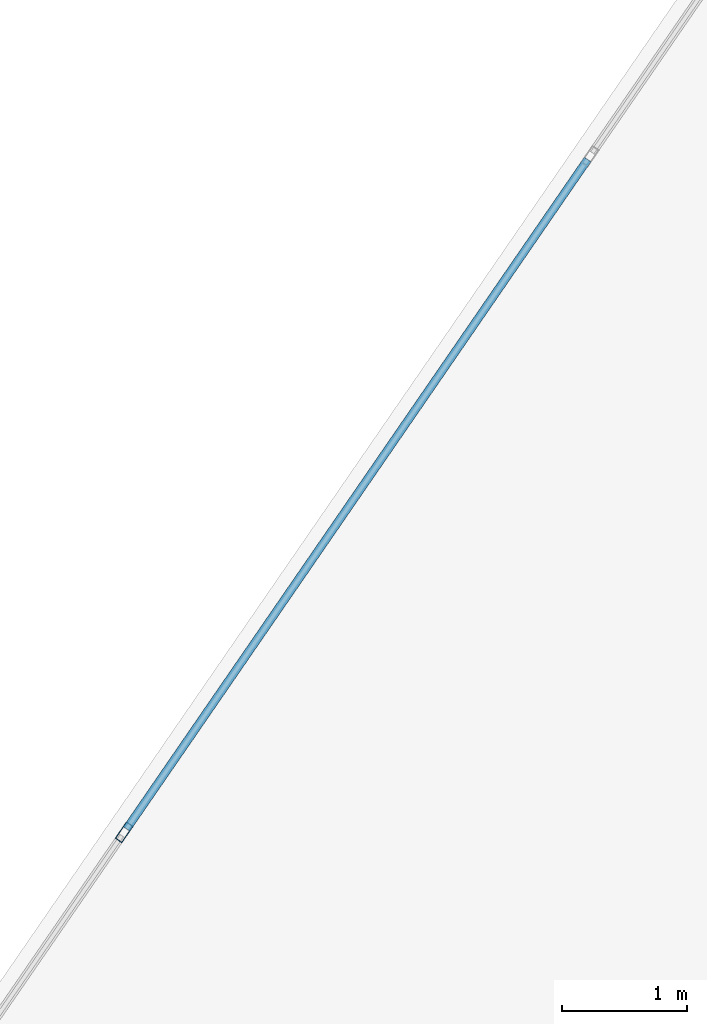
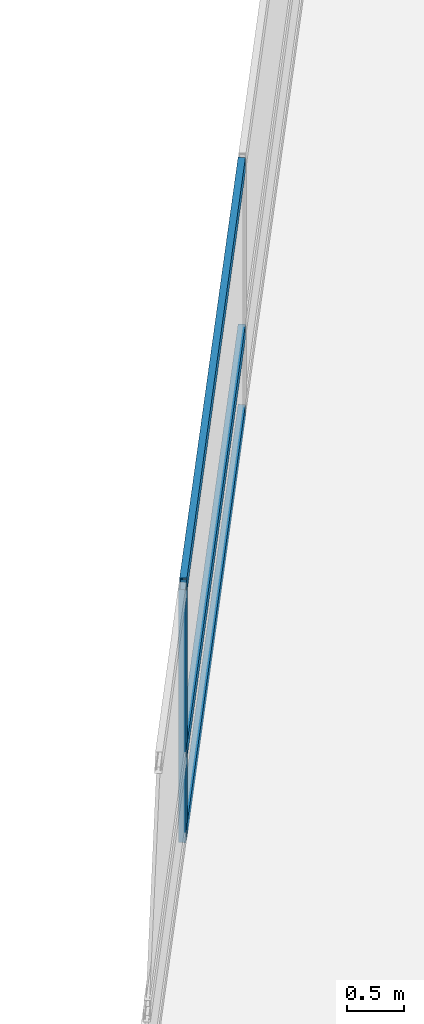
# One storey, part 13 of 25: 4 members, 1 element without a shape of its own.
"""IFC4 building model written with IfcOpenShell, lengths in metres."""

import ifcopenshell
import ifcopenshell.guid

model = None  # the IFC model being written
_history = None  # IfcOwnerHistory: only IFC2X3 demands one
_inside = {}  # id of a spatial element -> (the spatial element, [elements in it])
_under = {}  # id of a project, library or spatial element -> (it, [spatial elements below it])
_declared = {}  # id of a project -> (the project, [libraries it declares])
_typed = {}  # id of a type object -> (the type object, [elements of that type])
_made_of = {}  # id of a material, layer set ... -> (it, [elements and type objects made of it])


def new_model(schema):
    """Start an empty IFC model of exactly this schema.

    Asked for "IFC4X3", IfcOpenShell would pick the latest addendum, in which some entities
    have other attributes; the version numbers below select the first issue.
    IFC2X3 requires an IfcOwnerHistory on every rooted entity: one is made here for all.
    """
    global model, _history
    if schema == "IFC4X3":
        model = ifcopenshell.file(schema_version=(4, 3, 0, 0))
    else:
        model = ifcopenshell.file(schema=schema)
    _inside.clear()
    _under.clear()
    _declared.clear()
    _typed.clear()
    _made_of.clear()
    _history = None
    if model.schema == "IFC2X3":
        org = make("IfcOrganization", Name="unknown")
        user = make(
            "IfcPersonAndOrganization",
            ThePerson=make("IfcPerson", FamilyName="unknown"),
            TheOrganization=org,
        )
        app = make(
            "IfcApplication",
            ApplicationDeveloper=org,
            Version="unknown",
            ApplicationFullName="unknown",
            ApplicationIdentifier="unknown",
        )
        _history = make(
            "IfcOwnerHistory",
            OwningUser=user,
            OwningApplication=app,
            ChangeAction="ADDED",
            CreationDate=0,
        )
    return model


def make(cls, **values):
    """One entity of the class cls with the attributes given. An attribute that is None is left unset."""
    return model.create_entity(
        cls, **{name: value for name, value in values.items() if value is not None}
    )


def rooted(cls, **values):
    """An entity with a GlobalId (a new one), such as an element, a storey or a relation."""
    return make(cls, GlobalId=ifcopenshell.guid.new(), OwnerHistory=_history, **values)


def si_unit(unit_type, name, prefix=None):
    """IfcSIUnit, for example si_unit("LENGTHUNIT", "METRE", prefix="MILLI")."""
    return make("IfcSIUnit", UnitType=unit_type, Prefix=prefix, Name=name)


def assignment(units):
    """IfcUnitAssignment: the units of a project."""
    return None if units is None else make("IfcUnitAssignment", Units=units)


def point(xyz):
    """IfcCartesianPoint."""
    return None if xyz is None else make("IfcCartesianPoint", Coordinates=xyz)


def direction(xyz):
    """IfcDirection."""
    return None if xyz is None else make("IfcDirection", DirectionRatios=xyz)


def frame(location, z_axis=None, x_axis=None):
    """IfcAxis2Placement3D, a coordinate frame: its origin and axes. An axis left out is left unset."""
    return make(
        "IfcAxis2Placement3D",
        Location=point(location),
        Axis=direction(z_axis),
        RefDirection=direction(x_axis),
    )


def frame_2d(location, x_axis=None):
    """IfcAxis2Placement2D, a coordinate frame in the plane: its origin and x axis."""
    return make(
        "IfcAxis2Placement2D", Location=point(location), RefDirection=direction(x_axis)
    )


def origin():
    """The frame at (0, 0, 0) with its axes left unset."""
    return frame((0.0, 0.0, 0.0))


def origin_2d():
    """The frame at (0, 0) in the plane with its x axis left unset."""
    return frame_2d((0.0, 0.0))


def place(relative_to, where):
    """IfcLocalPlacement: puts the frame where relative to a parent placement (None: the world)."""
    return make(
        "IfcLocalPlacement", PlacementRelTo=relative_to, RelativePlacement=where
    )


def context(
    kind, dimensions, precision=None, world=None, true_north=None, identifier=None
):
    """IfcGeometricRepresentationContext, for example the 3D "Model" context."""
    return make(
        "IfcGeometricRepresentationContext",
        ContextIdentifier=identifier,
        ContextType=kind,
        CoordinateSpaceDimension=dimensions,
        Precision=precision,
        WorldCoordinateSystem=world,
        TrueNorth=true_north,
    )


def subcontext(parent, identifier, kind, view, scale=None):
    """IfcGeometricRepresentationSubContext, for example "Body" below "Model"."""
    return make(
        "IfcGeometricRepresentationSubContext",
        ContextIdentifier=identifier,
        ContextType=kind,
        ParentContext=parent,
        TargetScale=scale,
        TargetView=view,
    )


def project(units=None, contexts=None):
    """IfcProject with its units and contexts."""
    return rooted(
        "IfcProject",
        Name="project",
        RepresentationContexts=contexts,
        UnitsInContext=assignment(units),
    )


def spatial(cls, under=None, at=None, **own):
    """A site, building, storey or space (cls), placed at a placement, below another one or the project."""
    s = rooted(cls, ObjectPlacement=at, **own)
    if under is not None:
        _under.setdefault(under.id(), (under, []))[1].append(s)
    return s


def profile(cls, at=None, kind="AREA", **sizes):
    """A parametric profile (cls). Its sizes go by their IFC names, for example OverallWidth=200.0."""
    return make(cls, ProfileType=kind, Position=at, **sizes)


def hollow_rectangle(**sizes):
    """IfcRectangleHollowProfileDef."""
    return profile("IfcRectangleHollowProfileDef", **sizes)


def extrude(swept, where, along, depth):
    """IfcExtrudedAreaSolid: the profile swept, set in the frame where, extruded along a direction by depth."""
    return make(
        "IfcExtrudedAreaSolid",
        SweptArea=swept,
        Position=where,
        ExtrudedDirection=direction(along),
        Depth=depth,
    )


def shape(context_of_items, identifier, shape_type, items):
    """IfcShapeRepresentation: the items that make up one representation, for example the "Body"."""
    return make(
        "IfcShapeRepresentation",
        ContextOfItems=context_of_items,
        RepresentationIdentifier=identifier,
        RepresentationType=shape_type,
        Items=items,
    )


def material(Name=None, Category=None):
    """IfcMaterial."""
    return make("IfcMaterial", Name=Name, Category=Category)


def layer(
    of_material, thickness, ventilated=None, Name=None, Category=None, Priority=None
):
    """IfcMaterialLayer: one layer of a wall or slab, of a material (None: an air gap)."""
    return make(
        "IfcMaterialLayer",
        Material=of_material,
        LayerThickness=thickness,
        IsVentilated=ventilated,
        Name=Name,
        Category=Category,
        Priority=Priority,
    )


def layer_set(layers, Name=None):
    """IfcMaterialLayerSet."""
    return make("IfcMaterialLayerSet", MaterialLayers=layers, LayerSetName=Name)


def material_profile(
    of_material, cross_section, Name=None, Category=None, Priority=None
):
    """IfcMaterialProfile: a cross section and its material."""
    return make(
        "IfcMaterialProfile",
        Name=Name,
        Material=of_material,
        Profile=cross_section,
        Priority=Priority,
        Category=Category,
    )


def profile_set(profiles, Name=None, composite=None):
    """IfcMaterialProfileSet."""
    return make(
        "IfcMaterialProfileSet",
        Name=Name,
        MaterialProfiles=profiles,
        CompositeProfile=composite,
    )


def made_of(thing, what):
    """Note that an element or type object is made of a material, layer set ...; save() writes the relation."""
    if what is not None:
        _made_of.setdefault(what.id(), (what, []))[1].append(thing)
    return thing


def type_object(cls, material=None, **own):
    """A type object (cls), such as IfcWallType, which elements share."""
    return made_of(rooted(cls, **own), material)


def element(
    cls,
    number,
    at=None,
    inside=None,
    cuts=None,
    type_object=None,
    material=None,
    context=None,
    identifier="Body",
    shape_type=None,
    held_by="IfcProductDefinitionShape",
    body=None,
    shapes=None,
    **own,
):
    """One element of the class cls, such as IfcWall. Its Tag is "e" and its number.

    at: its placement. inside: the storey or other place that contains it. cuts: it is an
    opening in that element (IfcRelVoidsElement). A single representation is given by context,
    identifier, shape_type and body (its items); several are given by shapes. held_by: the class
    of the entity that holds the representations. save() writes the other relations.
    """
    e = rooted(cls, Tag="e%d" % number, ObjectPlacement=at, **own)
    if body is not None:
        shapes = [shape(context, identifier, shape_type, body)]
    if shapes is not None:
        e.Representation = make(held_by, Representations=shapes)
    if inside is not None:
        _inside.setdefault(inside.id(), (inside, []))[1].append(e)
    if cuts is not None:
        rooted(
            "IfcRelVoidsElement", RelatingBuildingElement=cuts, RelatedOpeningElement=e
        )
    if type_object is not None:
        _typed.setdefault(type_object.id(), (type_object, []))[1].append(e)
    return made_of(e, material)


def aggregate(whole, parts):
    """IfcRelAggregates: a whole, such as a stair, and the parts it consists of."""
    return rooted("IfcRelAggregates", RelatingObject=whole, RelatedObjects=parts)


def save(model, path):
    """Write the relations noted so far, then the file.

    IfcRelAggregates (storeys below a building ...), IfcRelContainedInSpatialStructure (elements
    in a storey), IfcRelDefinesByType, IfcRelAssociatesMaterial and IfcRelDeclares: one each for
    every whole, place, type object, material and project.
    """
    for whole, parts in _under.values():
        aggregate(whole, parts)
    for where, things in _inside.values():
        rooted(
            "IfcRelContainedInSpatialStructure",
            RelatedElements=things,
            RelatingStructure=where,
        )
    for kind, things in _typed.values():
        rooted("IfcRelDefinesByType", RelatedObjects=things, RelatingType=kind)
    for what, things in _made_of.values():
        rooted("IfcRelAssociatesMaterial", RelatedObjects=things, RelatingMaterial=what)
    for by, libraries in _declared.values():
        rooted("IfcRelDeclares", RelatingContext=by, RelatedDefinitions=libraries)
    model.write(path)


model = new_model("IFC4")

# Units and contexts
model_context = context("Model", 3, precision=1e-05, world=origin(), true_north=direction((0.0, 1.0)))
body_context = subcontext(model_context, "Body", "Model", "MODEL_VIEW")
ifc_project = project(units=[si_unit("LENGTHUNIT", "METRE"), si_unit("AREAUNIT", "SQUARE_METRE"), si_unit("VOLUMEUNIT", "CUBIC_METRE"), si_unit("PLANEANGLEUNIT", "RADIAN"), si_unit("MASSUNIT", "GRAM", prefix="KILO")], contexts=[model_context])

# Site, building, storey
site_placement = place(None, origin())
site = spatial("IfcSite", under=ifc_project, at=site_placement, CompositionType="ELEMENT")
building_placement = place(site_placement, origin())
building = spatial("IfcBuilding", under=site, at=building_placement, Name="Varnelok Gate Tower", CompositionType="ELEMENT")
storey_placement = place(building_placement, frame((0.0, 0.0, 34.39990234375)))
storey = spatial("IfcBuildingStorey", under=building, at=storey_placement, Name="L07", CompositionType="ELEMENT", Elevation=34.39990234375)

# Curtain wall, members
ifc_material = material(Name="Anodized Aluminum Alloy 6063-T6", Category="aluminium")
ifc_layer = layer(ifc_material, 0.179931640625)
ifc_layer_set = layer_set([ifc_layer], Name="Anodized Aluminum Alloy 6063-T6")
curtain_wall_type = type_object("IfcCurtainWallType", Name="CW3-HOTEL-VISION", PredefinedType="USERDEFINED", material=ifc_layer_set)
curtain_wall_placement = place(storey_placement, origin())
curtain_wall = element("IfcCurtainWall", 1, at=curtain_wall_placement, inside=storey, type_object=curtain_wall_type, Name="L07 West End Vision Curtain Wall", ObjectType="UNITISED CURTAIN WALL", PredefinedType="USERDEFINED")
ifc_material_profile_1 = material_profile(ifc_material, hollow_rectangle(XDim=0.06494140625, YDim=0.159912109375, WallThickness=0.00390625, at=origin_2d()), Name="ALU160X65X4")
ifc_profile_set_1 = profile_set([ifc_material_profile_1], Name="Anodized Aluminum Alloy 6063-T6")
member_type_1 = type_object("IfcMemberType", Name="CW-MULL-160", PredefinedType="MULLION", material=ifc_profile_set_1)
member_1_placement = place(storey_placement, frame((10.7578125, 52.865478515625, 0.0), z_axis=(0.0, 0.0, 1.0), x_axis=(-0.823532685111, 0.567268822124, 0.0)))
member_1 = element("IfcMember", 2, at=member_1_placement, type_object=member_type_1, Name="CW3 mullion 5", PredefinedType="MULLION", context=body_context, shape_type="SweptSolid", body=[
    extrude(hollow_rectangle(XDim=0.06494140625, YDim=0.159912109375, WallThickness=0.00390625, at=origin_2d()), origin(), (0.0, 0.0, 1.0), 2.72998046875),
])
ifc_material_profile_2 = material_profile(ifc_material, hollow_rectangle(XDim=0.06494140625, YDim=0.159912109375, WallThickness=0.00390625, at=origin_2d()), Name="ALU160X65X4")
ifc_profile_set_2 = profile_set([ifc_material_profile_2], Name="Anodized Aluminum Alloy 6063-T6")
member_type_2 = type_object("IfcMemberType", Name="CW-TRAN-160", PredefinedType="USERDEFINED", material=ifc_profile_set_2)
member_2_placement = place(storey_placement, frame((10.7763671875, 52.89208984375, 0.03271484375), z_axis=(0.567261662339, 0.823537616894, 0.0), x_axis=(-0.823537616894, 0.567261662339, 0.0)))
member_2 = element("IfcMember", 3, at=member_2_placement, type_object=member_type_2, Name="CW3 transom 5.1", ObjectType="TRANSOM", PredefinedType="USERDEFINED", context=body_context, shape_type="SweptSolid", body=[
    extrude(hollow_rectangle(XDim=0.06494140625, YDim=0.159912109375, WallThickness=0.00390625, at=origin_2d()), origin(), (0.0, 0.0, 1.0), 6.501708984375),
])
member_3_placement = place(storey_placement, frame((10.7763671875, 52.89208984375, 0.900146484375), z_axis=(0.567261662339, 0.823537616894, 0.0), x_axis=(-0.823537616894, 0.567261662339, 0.0)))
member_3 = element("IfcMember", 4, at=member_3_placement, type_object=member_type_2, Name="CW3 transom 5.2", ObjectType="TRANSOM", PredefinedType="USERDEFINED", context=body_context, shape_type="SweptSolid", body=[
    extrude(hollow_rectangle(XDim=0.06494140625, YDim=0.159912109375, WallThickness=0.00390625, at=origin_2d()), origin(), (0.0, 0.0, 1.0), 6.501708984375),
])
member_4_placement = place(storey_placement, frame((10.7763671875, 52.89208984375, 2.697509765625), z_axis=(0.567261662339, 0.823537616894, 0.0), x_axis=(-0.823537616894, 0.567261662339, 0.0)))
member_4 = element("IfcMember", 5, at=member_4_placement, type_object=member_type_2, Name="CW3 transom 5.3", ObjectType="TRANSOM", PredefinedType="USERDEFINED", context=body_context, shape_type="SweptSolid", body=[
    extrude(hollow_rectangle(XDim=0.06494140625, YDim=0.159912109375, WallThickness=0.00390625, at=origin_2d()), origin(), (0.0, 0.0, 1.0), 6.501708984375),
])
aggregate(curtain_wall, [member_1, member_2, member_3, member_4])

save(model, "model.ifc")
